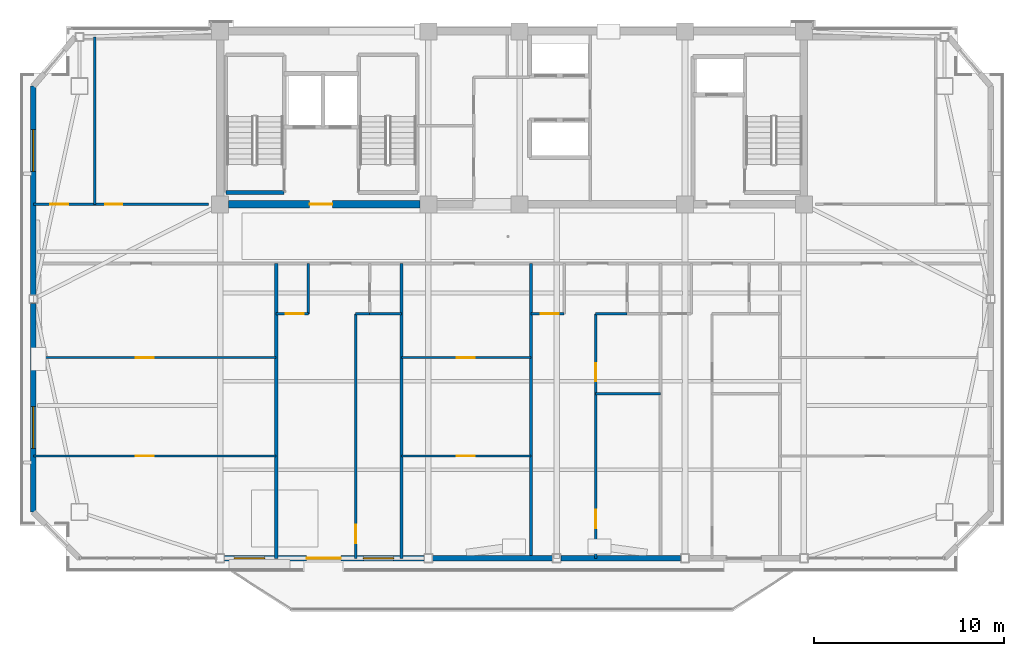
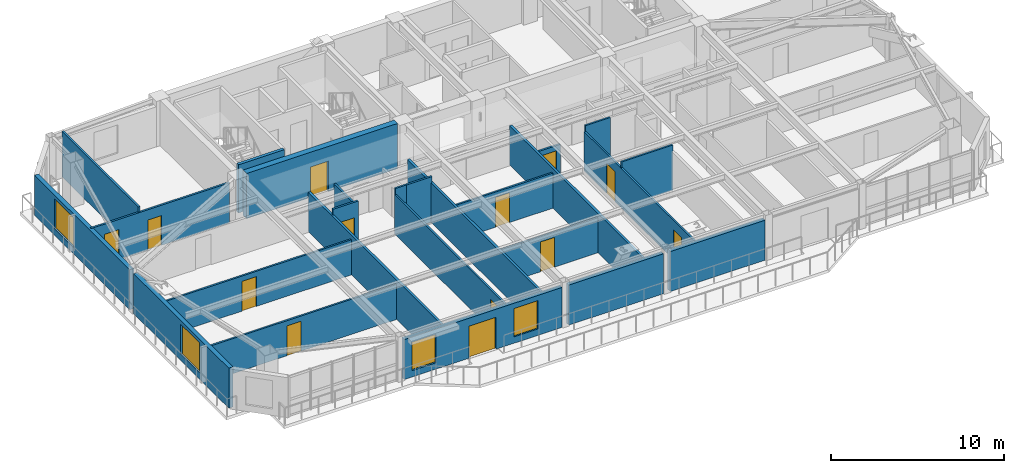
# One storey, part 7 of 15: 25 walls, 13 doors, 4 windows, 17 openings.
"""IFC4 building model written with IfcOpenShell, lengths in metres."""

from ifc_helpers import new_model, si_unit, direction, frame, frame_2d, origin, place, context, subcontext, project, spatial, rectangle, extrude, source, transform, mapped, material, layer, layer_set, type_object, element, fill, save


model = new_model("IFC4")

# Units and contexts
model_context = context("Model", 3, precision=1e-05, world=origin(), true_north=direction((0.0, 1.0)))
body_context = subcontext(model_context, "Body", "Model", "MODEL_VIEW")
ifc_project = project(units=[si_unit("LENGTHUNIT", "METRE"), si_unit("AREAUNIT", "SQUARE_METRE"), si_unit("VOLUMEUNIT", "CUBIC_METRE"), si_unit("PLANEANGLEUNIT", "RADIAN"), si_unit("MASSUNIT", "GRAM", prefix="KILO")], contexts=[model_context])

# Site, building, storey
site_placement = place(None, origin())
site = spatial("IfcSite", under=ifc_project, at=site_placement, CompositionType="ELEMENT")
building_placement = place(site_placement, origin())
building = spatial("IfcBuilding", under=site, at=building_placement, Name="Giltprow Tower", CompositionType="ELEMENT")
storey_placement = place(building_placement, frame((0.0, 0.0, 297.199951171875)))
storey = spatial("IfcBuildingStorey", under=building, at=storey_placement, Name="L76", CompositionType="ELEMENT", Elevation=297.199951171875)

# Wall, openings, windows, door
ifc_material_1 = material(Name="Precast concrete C40", Category="concrete")
ifc_layer_1 = layer(ifc_material_1, 0.280029296875, Name="Precast concrete C40")
ifc_layer_set_1 = layer_set([ifc_layer_1], Name="Precast concrete C40")
wall_type_1 = type_object("IfcWallType", Name="EW-TOW-BRONZE-280", PredefinedType="SOLIDWALL", material=ifc_layer_set_1)
wall_1_placement = place(storey_placement, frame((20.074951171875, 18.841064453125, 0.0), z_axis=(0.0, 0.0, 1.0), x_axis=(1.0, 0.0, 0.0)))
wall_1 = element("IfcWall", 1, at=wall_1_placement, inside=storey, type_object=wall_type_1, Name="L76 South Expressed Frame Wall 2", PredefinedType="SOLIDWALL", context=body_context, shape_type="SweptSolid", body=[
    extrude(rectangle(XDim=10.5, YDim=0.280029296875, at=frame_2d((5.25, 0.0))), origin(), (0.0, 0.0, 1.0), 2.81494140625),
])
opening_1_placement = place(wall_1_placement, frame((4.324951171875, 0.0, 0.0)))
opening_1 = element("IfcOpeningElement", 2, at=opening_1_placement, cuts=wall_1, Name="Opening ED25", PredefinedType="OPENING", context=body_context, shape_type="SweptSolid", body=[
    extrude(rectangle(XDim=1.800048828125, YDim=2.25, at=frame_2d((0.89990234375, 1.125))), frame((0.0, 0.14990234375, 0.0), z_axis=(0.0, -1.0, 0.0), x_axis=(1.0, 0.0, 0.0)), (0.0, 0.0, 1.0), 0.300048828125),
])
opening_2_placement = place(wall_1_placement, frame((0.51708984375, 0.0, 0.449951171875)))
opening_2 = element("IfcOpeningElement", 3, at=opening_2_placement, cuts=wall_1, Name="Opening WN17", PredefinedType="OPENING", context=body_context, shape_type="SweptSolid", body=[
    extrude(rectangle(XDim=1.60009765625, YDim=2.0, at=frame_2d((0.800048828125, 1.0))), frame((0.0, 0.14990234375, 0.0), z_axis=(0.0, -1.0, 0.0), x_axis=(1.0, 0.0, 0.0)), (0.0, 0.0, 1.0), 0.300048828125),
])
opening_3_placement = place(wall_1_placement, frame((7.304931640625, 0.0, 0.449951171875)))
opening_3 = element("IfcOpeningElement", 4, at=opening_3_placement, cuts=wall_1, Name="Opening WN17", PredefinedType="OPENING", context=body_context, shape_type="SweptSolid", body=[
    extrude(rectangle(XDim=1.60009765625, YDim=2.0, at=frame_2d((0.800048828125, 1.0))), frame((0.0, 0.14990234375, 0.0), z_axis=(0.0, -1.0, 0.0), x_axis=(1.0, 0.0, 0.0)), (0.0, 0.0, 1.0), 0.300048828125),
])
ifc_material_2 = material(Name="Insulated glass", Category="glass")
window_type_1 = type_object("IfcWindowType", Name="WN-COR-1600x2000", PartitioningType="SINGLE_PANEL", PredefinedType="WINDOW", material=ifc_material_2)
shared_shape_1 = source(origin(), body_context, "Body", "SweptSolid", [
    extrude(rectangle(XDim=1.60009765625, YDim=2.0, at=frame_2d((0.800048828125, 1.0))), frame((0.0, 0.030029296875, 0.0), z_axis=(0.0, -1.0, 0.0), x_axis=(1.0, 0.0, 0.0)), (0.0, 0.0, 1.0), 0.06005859375),
])
window_1_placement = place(opening_2_placement, origin())
window_1 = element("IfcWindow", 5, at=window_1_placement, inside=storey, type_object=window_type_1, Name="L76 South Window 2A", OverallHeight=2.0, OverallWidth=1.60009765625, PartitioningType="SINGLE_PANEL", PredefinedType="WINDOW", context=body_context, shape_type="MappedRepresentation", body=[
    mapped(shared_shape_1, transform((0.0, 0.0, 0.0), x_axis=(1.0, 0.0, 0.0), y_axis=(0.0, 1.0, 0.0), z_axis=(0.0, 0.0, 1.0), scale=1.0)),
])
fill(opening_2, window_1)
window_2_placement = place(opening_3_placement, origin())
window_2 = element("IfcWindow", 6, at=window_2_placement, inside=storey, type_object=window_type_1, Name="L76 South Window 2B", OverallHeight=2.0, OverallWidth=1.60009765625, PartitioningType="SINGLE_PANEL", PredefinedType="WINDOW", context=body_context, shape_type="MappedRepresentation", body=[
    mapped(shared_shape_1, transform((0.0, 0.0, 0.0), x_axis=(1.0, 0.0, 0.0), y_axis=(0.0, 1.0, 0.0), z_axis=(0.0, 0.0, 1.0), scale=1.0)),
])
fill(opening_3, window_2)
ifc_material_3 = material(Name="Anodized bronze and glass", Category="glass")
door_type_1 = type_object("IfcDoorType", Name="DR-BALC-SLIDE-1800", OperationType="SLIDING_TO_LEFT", PredefinedType="DOOR", material=ifc_material_3)
shared_shape_2 = source(origin(), body_context, "Body", "SweptSolid", [
    extrude(rectangle(XDim=1.800048828125, YDim=2.25, at=frame_2d((0.89990234375, 1.125))), frame((0.0, 0.02490234375, 0.0), z_axis=(0.0, -1.0, 0.0), x_axis=(1.0, 0.0, 0.0)), (0.0, 0.0, 1.0), 0.050048828125),
])
door_1_placement = place(opening_1_placement, origin())
door_1 = element("IfcDoor", 7, at=door_1_placement, inside=storey, type_object=door_type_1, Name="L76 Waterfront Balcony Sliding Door 1", OperationType="SLIDING_TO_LEFT", OverallHeight=2.25, OverallWidth=1.800048828125, PredefinedType="DOOR", context=body_context, shape_type="MappedRepresentation", body=[
    mapped(shared_shape_2, transform((0.0, 0.0, 0.0), x_axis=(1.0, 0.0, 0.0), y_axis=(0.0, 1.0, 0.0), z_axis=(0.0, 0.0, 1.0), scale=1.0)),
])
fill(opening_1, door_1)

# Walls
for number, where, z_axis, x_axis, name in (
    (8, (31.02490234375, 18.841064453125, 0.0), (0.0, 0.0, 1.0), (1.0, 0.0, 0.0), "L76 South Expressed Frame Wall 3"),
    (9, (37.77490234375, 18.841064453125, 0.0), (0.0, 0.0, 1.0), (1.0, 0.0, 0.0), "L76 South Expressed Frame Wall 4"),
):
    element("IfcWall", number, at=place(storey_placement, frame(where, z_axis=z_axis, x_axis=x_axis)), inside=storey, type_object=wall_type_1, Name=name, PredefinedType="SOLIDWALL", context=body_context, shape_type="SweptSolid", body=[
        extrude(rectangle(XDim=6.300048828125, YDim=0.280029296875, at=frame_2d((3.14990234375, 0.0))), origin(), (0.0, 0.0, 1.0), 2.81494140625),
    ])

# Wall, opening, window
wall_2_placement = place(storey_placement, frame((10.02392578125, 21.27197265625, 0.0), z_axis=(0.0, 0.0, 1.0), x_axis=(0.0, 1.0, 0.0)))
wall_2 = element("IfcWall", 10, at=wall_2_placement, inside=storey, type_object=wall_type_1, Name="L76 W Wing Masonry Wall 1", PredefinedType="SOLIDWALL", context=body_context, shape_type="SweptSolid", body=[
    extrude(rectangle(XDim=10.97412109375, YDim=0.280029296875, at=frame_2d((5.487060546875, 0.0))), origin(), (0.0, 0.0, 1.0), 2.81494140625),
])
opening_4_placement = place(wall_2_placement, frame((3.346923828125, 0.0, 0.449951171875)))
opening_4 = element("IfcOpeningElement", 11, at=opening_4_placement, cuts=wall_2, Name="Opening WN27", PredefinedType="OPENING", context=body_context, shape_type="SweptSolid", body=[
    extrude(rectangle(XDim=2.199951171875, YDim=2.10009765625, at=frame_2d((1.10009765625, 1.050048828125))), frame((0.0, 0.14990234375, 0.0), z_axis=(0.0, -1.0, 0.0), x_axis=(1.0, 0.0, 0.0)), (0.0, 0.0, 1.0), 0.300048828125),
])
window_type_2 = type_object("IfcWindowType", Name="WN-RES-2200x2100", PartitioningType="TRIPLE_PANEL_VERTICAL", PredefinedType="WINDOW", material=ifc_material_2)
shared_shape_3 = source(origin(), body_context, "Body", "SweptSolid", [
    extrude(rectangle(XDim=2.199951171875, YDim=2.10009765625, at=frame_2d((1.10009765625, 1.050048828125))), frame((0.0, 0.030029296875, 0.0), z_axis=(0.0, -1.0, 0.0), x_axis=(1.0, 0.0, 0.0)), (0.0, 0.0, 1.0), 0.06005859375),
])
window_3_placement = place(opening_4_placement, origin())
window_3 = element("IfcWindow", 12, at=window_3_placement, inside=storey, type_object=window_type_2, Name="L76 W Wing Window 1-1", OverallHeight=2.10009765625, OverallWidth=2.199951171875, PartitioningType="SINGLE_PANEL", PredefinedType="WINDOW", context=body_context, shape_type="MappedRepresentation", body=[
    mapped(shared_shape_3, transform((0.0, 0.0, 0.0), x_axis=(1.0, 0.0, 0.0), y_axis=(0.0, 1.0, 0.0), z_axis=(0.0, 0.0, 1.0), scale=1.0)),
])
fill(opening_4, window_3)

wall_3_placement = place(storey_placement, frame((10.02392578125, 32.696044921875, 0.0), z_axis=(0.0, 0.0, 1.0), x_axis=(0.0, 1.0, 0.0)))
wall_3 = element("IfcWall", 13, at=wall_3_placement, inside=storey, type_object=wall_type_1, Name="L76 W Wing Masonry Wall 2", PredefinedType="SOLIDWALL", context=body_context, shape_type="SweptSolid", body=[
    extrude(rectangle(XDim=10.972900390625, YDim=0.280029296875, at=frame_2d((5.486328125, 0.0))), origin(), (0.0, 0.0, 1.0), 2.81494140625),
])
opening_5_placement = place(wall_3_placement, frame((6.488037109375, 0.0, 0.449951171875)))
opening_5 = element("IfcOpeningElement", 14, at=opening_5_placement, cuts=wall_3, Name="Opening WN27", PredefinedType="OPENING", context=body_context, shape_type="SweptSolid", body=[
    extrude(rectangle(XDim=2.199951171875, YDim=2.10009765625, at=frame_2d((1.10009765625, 1.050048828125))), frame((0.0, 0.14990234375, 0.0), z_axis=(0.0, -1.0, 0.0), x_axis=(1.0, 0.0, 0.0)), (0.0, 0.0, 1.0), 0.300048828125),
])
window_4_placement = place(opening_5_placement, origin())
window_4 = element("IfcWindow", 15, at=window_4_placement, inside=storey, type_object=window_type_2, Name="L76 W Wing Window 2-1", OverallHeight=2.10009765625, OverallWidth=2.199951171875, PartitioningType="SINGLE_PANEL", PredefinedType="WINDOW", context=body_context, shape_type="MappedRepresentation", body=[
    mapped(shared_shape_3, transform((0.0, 0.0, 0.0), x_axis=(1.0, 0.0, 0.0), y_axis=(0.0, 1.0, 0.0), z_axis=(0.0, 0.0, 1.0), scale=1.0)),
])
fill(opening_5, window_4)

# Walls
ifc_material_4 = material(Name="Gypsum stud partition", Category="gypsum")
ifc_layer_2 = layer(ifc_material_4, 0.159912109375, Name="Gypsum stud partition")
ifc_layer_set_2 = layer_set([ifc_layer_2], Name="Gypsum stud partition")
wall_type_2 = type_object("IfcWallType", Name="IW-DEMISE-160", PredefinedType="PARTITIONING", material=ifc_layer_set_2)
for number, where, z_axis, x_axis, name in (
    (16, (22.800048828125, 18.841064453125, 0.0), (0.0, 0.0, 1.0), (0.0, 1.0, 0.0), "L76 Apartment Party Wall 1"),
    (17, (29.39990234375, 18.841064453125, 0.0), (0.0, 0.0, 1.0), (0.0, 1.0, 0.0), "L76 Apartment Party Wall 2"),
    (18, (36.199951171875, 18.841064453125, 0.0), (0.0, 0.0, 1.0), (0.0, 1.0, 0.0), "L76 Apartment Party Wall 3"),
):
    element("IfcWall", number, at=place(storey_placement, frame(where, z_axis=z_axis, x_axis=x_axis)), inside=storey, type_object=wall_type_2, Name=name, PredefinedType="PARTITIONING", context=body_context, shape_type="SweptSolid", body=[
        extrude(rectangle(XDim=15.509033203125, YDim=0.159912109375, at=frame_2d((7.75439453125, 0.0))), origin(), (0.0, 0.0, 1.0), 2.77001953125),
    ])

# Wall, opening, door
ifc_layer_3 = layer(ifc_material_4, 0.1201171875, Name="Gypsum stud partition")
ifc_layer_set_3 = layer_set([ifc_layer_3], Name="Gypsum stud partition")
wall_type_3 = type_object("IfcWallType", Name="IW-ROOM-120", PredefinedType="PARTITIONING", material=ifc_layer_set_3)
wall_4_placement = place(storey_placement, frame((10.02392578125, 24.218994140625, 0.0), z_axis=(0.0, 0.0, 1.0), x_axis=(1.0, 0.0, 0.0)))
wall_4 = element("IfcWall", 19, at=wall_4_placement, inside=storey, type_object=wall_type_3, Name="L76 Special Split 1", PredefinedType="PARTITIONING", context=body_context, shape_type="SweptSolid", body=[
    extrude(rectangle(XDim=12.776123046875, YDim=0.1201171875, at=frame_2d((6.38818359375, 0.0))), origin(), (0.0, 0.0, 1.0), 2.469970703125),
])
opening_6_placement = place(wall_4_placement, frame((5.39599609375, 0.0, 0.0)))
opening_6 = element("IfcOpeningElement", 20, at=opening_6_placement, cuts=wall_4, Name="Opening ID11", PredefinedType="OPENING", context=body_context, shape_type="SweptSolid", body=[
    extrude(rectangle(XDim=0.949951171875, YDim=2.10009765625, at=frame_2d((0.47509765625, 1.050048828125))), frame((0.0, 0.070068359375, 0.0), z_axis=(0.0, -1.0, 0.0), x_axis=(1.0, 0.0, 0.0)), (0.0, 0.0, 1.0), 0.14013671875),
])
ifc_material_5 = material(Name="Engineered timber", Category="wood")
door_type_2 = type_object("IfcDoorType", Name="DR-ROOM-950", OperationType="SINGLE_SWING_RIGHT", PredefinedType="DOOR", material=ifc_material_5)
shared_shape_4 = source(origin(), body_context, "Body", "SweptSolid", [
    extrude(rectangle(XDim=0.949951171875, YDim=2.10009765625, at=frame_2d((0.47509765625, 1.050048828125))), frame((0.0, 0.02490234375, 0.0), z_axis=(0.0, -1.0, 0.0), x_axis=(1.0, 0.0, 0.0)), (0.0, 0.0, 1.0), 0.050048828125),
])
door_2_placement = place(opening_6_placement, origin())
door_2 = element("IfcDoor", 21, at=door_2_placement, inside=storey, type_object=door_type_2, Name="L76 Altitude Pilates Gym 1 South Door", OperationType="SINGLE_SWING_RIGHT", OverallHeight=2.10009765625, OverallWidth=0.949951171875, PredefinedType="DOOR", context=body_context, shape_type="MappedRepresentation", body=[
    mapped(shared_shape_4, transform((0.0, 0.0, 0.0), x_axis=(1.0, 0.0, 0.0), y_axis=(0.0, 1.0, 0.0), z_axis=(0.0, 0.0, 1.0), scale=1.0)),
])
fill(opening_6, door_2)

wall_5_placement = place(storey_placement, frame((10.02392578125, 29.39697265625, 0.0), z_axis=(0.0, 0.0, 1.0), x_axis=(1.0, 0.0, 0.0)))
wall_5 = element("IfcWall", 22, at=wall_5_placement, inside=storey, type_object=wall_type_3, Name="L76 Special Split 2", PredefinedType="PARTITIONING", context=body_context, shape_type="SweptSolid", body=[
    extrude(rectangle(XDim=12.776123046875, YDim=0.1201171875, at=frame_2d((6.38818359375, 0.0))), origin(), (0.0, 0.0, 1.0), 2.469970703125),
])
opening_7_placement = place(wall_5_placement, frame((5.39599609375, 0.0, 0.0)))
opening_7 = element("IfcOpeningElement", 23, at=opening_7_placement, cuts=wall_5, Name="Opening ID11", PredefinedType="OPENING", context=body_context, shape_type="SweptSolid", body=[
    extrude(rectangle(XDim=0.949951171875, YDim=2.10009765625, at=frame_2d((0.47509765625, 1.050048828125))), frame((0.0, 0.070068359375, 0.0), z_axis=(0.0, -1.0, 0.0), x_axis=(1.0, 0.0, 0.0)), (0.0, 0.0, 1.0), 0.14013671875),
])
door_3_placement = place(opening_7_placement, origin())
door_3 = element("IfcDoor", 24, at=door_3_placement, inside=storey, type_object=door_type_2, Name="L76 Altitude Pilates Gym 1 Mid Door", OperationType="SINGLE_SWING_LEFT", OverallHeight=2.10009765625, OverallWidth=0.949951171875, PredefinedType="DOOR", context=body_context, shape_type="MappedRepresentation", body=[
    mapped(shared_shape_4, transform((0.0, 0.0, 0.0), x_axis=(1.0, 0.0, 0.0), y_axis=(0.0, 1.0, 0.0), z_axis=(0.0, 0.0, 1.0), scale=1.0)),
])
fill(opening_7, door_3)

# Wall
wall_6_placement = place(storey_placement, frame((26.97998046875, 31.699951171875, 0.0), z_axis=(0.0, 0.0, 1.0), x_axis=(1.0, 0.0, 0.0)))
element("IfcWall", 25, at=wall_6_placement, inside=storey, type_object=wall_type_3, Name="L76 Unit 1 Bedroom North Wall", PredefinedType="PARTITIONING", context=body_context, shape_type="SweptSolid", body=[
    extrude(rectangle(XDim=0.72998046875, YDim=0.1201171875, at=frame_2d((0.364990234375, 0.0))), origin(), (0.0, 0.0, 1.0), 3.18505859375),
])

# Wall, opening, door
wall_7_placement = place(storey_placement, frame((26.97998046875, 18.841064453125, 0.0), z_axis=(0.0, 0.0, 1.0), x_axis=(0.0, 1.0, 0.0)))
wall_7 = element("IfcWall", 26, at=wall_7_placement, inside=storey, type_object=wall_type_3, Name="L76 Unit 1 Bedroom Wall", PredefinedType="PARTITIONING", context=body_context, shape_type="SweptSolid", body=[
    extrude(rectangle(XDim=12.85888671875, YDim=0.1201171875, at=frame_2d((6.429443359375, 0.0))), origin(), (0.0, 0.0, 1.0), 2.77001953125),
])
opening_8_placement = place(wall_7_placement, frame((0.800048828125, 0.0, 0.0)))
opening_8 = element("IfcOpeningElement", 27, at=opening_8_placement, cuts=wall_7, Name="Opening ID11", PredefinedType="OPENING", context=body_context, shape_type="SweptSolid", body=[
    extrude(rectangle(XDim=0.949951171875, YDim=2.10009765625, at=frame_2d((0.47509765625, 1.050048828125))), frame((0.0, 0.070068359375, 0.0), z_axis=(0.0, -1.0, 0.0), x_axis=(1.0, 0.0, 0.0)), (0.0, 0.0, 1.0), 0.14013671875),
])
door_4_placement = place(opening_8_placement, origin())
door_4 = element("IfcDoor", 28, at=door_4_placement, inside=storey, type_object=door_type_2, Name="L76 Unit 1 Primary Bedroom Door", OperationType="SINGLE_SWING_RIGHT", OverallHeight=2.10009765625, OverallWidth=0.949951171875, PredefinedType="DOOR", context=body_context, shape_type="MappedRepresentation", body=[
    mapped(shared_shape_4, transform((0.0, 0.0, 0.0), x_axis=(1.0, 0.0, 0.0), y_axis=(0.0, 1.0, 0.0), z_axis=(0.0, 0.0, 1.0), scale=1.0)),
])
fill(opening_8, door_4)

wall_8_placement = place(storey_placement, frame((29.39990234375, 24.218994140625, 0.0), z_axis=(0.0, 0.0, 1.0), x_axis=(1.0, 0.0, 0.0)))
wall_8 = element("IfcWall", 29, at=wall_8_placement, inside=storey, type_object=wall_type_3, Name="L76 Special Split 1", PredefinedType="PARTITIONING", context=body_context, shape_type="SweptSolid", body=[
    extrude(rectangle(XDim=6.800048828125, YDim=0.1201171875, at=frame_2d((3.39990234375, 0.0))), origin(), (0.0, 0.0, 1.0), 2.469970703125),
])
opening_9_placement = place(wall_8_placement, frame((2.885986328125, 0.0, 0.0)))
opening_9 = element("IfcOpeningElement", 30, at=opening_9_placement, cuts=wall_8, Name="Opening ID11", PredefinedType="OPENING", context=body_context, shape_type="SweptSolid", body=[
    extrude(rectangle(XDim=0.949951171875, YDim=2.10009765625, at=frame_2d((0.47509765625, 1.050048828125))), frame((0.0, 0.070068359375, 0.0), z_axis=(0.0, -1.0, 0.0), x_axis=(1.0, 0.0, 0.0)), (0.0, 0.0, 1.0), 0.14013671875),
])
door_5_placement = place(opening_9_placement, origin())
door_5 = element("IfcDoor", 31, at=door_5_placement, inside=storey, type_object=door_type_2, Name="L76 Meditation Gym 2 South Door", OperationType="SINGLE_SWING_LEFT", OverallHeight=2.10009765625, OverallWidth=0.949951171875, PredefinedType="DOOR", context=body_context, shape_type="MappedRepresentation", body=[
    mapped(shared_shape_4, transform((0.0, 0.0, 0.0), x_axis=(1.0, 0.0, 0.0), y_axis=(0.0, 1.0, 0.0), z_axis=(0.0, 0.0, 1.0), scale=1.0)),
])
fill(opening_9, door_5)

wall_9_placement = place(storey_placement, frame((29.39990234375, 29.39697265625, 0.0), z_axis=(0.0, 0.0, 1.0), x_axis=(1.0, 0.0, 0.0)))
wall_9 = element("IfcWall", 32, at=wall_9_placement, inside=storey, type_object=wall_type_3, Name="L76 Special Split 2", PredefinedType="PARTITIONING", context=body_context, shape_type="SweptSolid", body=[
    extrude(rectangle(XDim=6.800048828125, YDim=0.1201171875, at=frame_2d((3.39990234375, 0.0))), origin(), (0.0, 0.0, 1.0), 2.469970703125),
])
opening_10_placement = place(wall_9_placement, frame((2.885986328125, 0.0, 0.0)))
opening_10 = element("IfcOpeningElement", 33, at=opening_10_placement, cuts=wall_9, Name="Opening ID11", PredefinedType="OPENING", context=body_context, shape_type="SweptSolid", body=[
    extrude(rectangle(XDim=0.949951171875, YDim=2.10009765625, at=frame_2d((0.47509765625, 1.050048828125))), frame((0.0, 0.070068359375, 0.0), z_axis=(0.0, -1.0, 0.0), x_axis=(1.0, 0.0, 0.0)), (0.0, 0.0, 1.0), 0.14013671875),
])
door_6_placement = place(opening_10_placement, origin())
door_6 = element("IfcDoor", 34, at=door_6_placement, inside=storey, type_object=door_type_2, Name="L76 Meditation Gym 2 Mid Door", OperationType="SINGLE_SWING_RIGHT", OverallHeight=2.10009765625, OverallWidth=0.949951171875, PredefinedType="DOOR", context=body_context, shape_type="MappedRepresentation", body=[
    mapped(shared_shape_4, transform((0.0, 0.0, 0.0), x_axis=(1.0, 0.0, 0.0), y_axis=(0.0, 1.0, 0.0), z_axis=(0.0, 0.0, 1.0), scale=1.0)),
])
fill(opening_10, door_6)

# Wall
wall_10_placement = place(storey_placement, frame((39.60009765625, 31.699951171875, 0.0), z_axis=(0.0, 0.0, 1.0), x_axis=(1.0, 0.0, 0.0)))
element("IfcWall", 35, at=wall_10_placement, inside=storey, type_object=wall_type_3, Name="L76 Unit 2 Bedroom North Wall", PredefinedType="PARTITIONING", context=body_context, shape_type="SweptSolid", body=[
    extrude(rectangle(XDim=1.659912109375, YDim=0.1201171875, at=frame_2d((0.830078125, 0.0))), origin(), (0.0, 0.0, 1.0), 3.18505859375),
])

# Wall, openings, doors
wall_11_placement = place(storey_placement, frame((39.60009765625, 18.841064453125, 0.0), z_axis=(0.0, 0.0, 1.0), x_axis=(0.0, 1.0, 0.0)))
wall_11 = element("IfcWall", 36, at=wall_11_placement, inside=storey, type_object=wall_type_3, Name="L76 Unit 2 Bedroom Wall", PredefinedType="PARTITIONING", context=body_context, shape_type="SweptSolid", body=[
    extrude(rectangle(XDim=12.85888671875, YDim=0.1201171875, at=frame_2d((6.429443359375, 0.0))), origin(), (0.0, 0.0, 1.0), 2.77001953125),
])
opening_11_placement = place(wall_11_placement, frame((1.590087890625, 0.0, 0.0)))
opening_11 = element("IfcOpeningElement", 37, at=opening_11_placement, cuts=wall_11, Name="Opening ID11", PredefinedType="OPENING", context=body_context, shape_type="SweptSolid", body=[
    extrude(rectangle(XDim=0.949951171875, YDim=2.10009765625, at=frame_2d((0.47509765625, 1.050048828125))), frame((0.0, 0.070068359375, 0.0), z_axis=(0.0, -1.0, 0.0), x_axis=(1.0, 0.0, 0.0)), (0.0, 0.0, 1.0), 0.14013671875),
])
opening_12_placement = place(wall_11_placement, frame((9.299072265625, 0.0, 0.0)))
opening_12 = element("IfcOpeningElement", 38, at=opening_12_placement, cuts=wall_11, Name="Opening ID11", PredefinedType="OPENING", context=body_context, shape_type="SweptSolid", body=[
    extrude(rectangle(XDim=0.949951171875, YDim=2.10009765625, at=frame_2d((0.47509765625, 1.050048828125))), frame((0.0, 0.070068359375, 0.0), z_axis=(0.0, -1.0, 0.0), x_axis=(1.0, 0.0, 0.0)), (0.0, 0.0, 1.0), 0.14013671875),
])
door_7_placement = place(opening_11_placement, origin())
door_7 = element("IfcDoor", 39, at=door_7_placement, inside=storey, type_object=door_type_2, Name="L76 Unit 2 Primary Bedroom Door", OperationType="SINGLE_SWING_LEFT", OverallHeight=2.10009765625, OverallWidth=0.949951171875, PredefinedType="DOOR", context=body_context, shape_type="MappedRepresentation", body=[
    mapped(shared_shape_4, transform((0.0, 0.0, 0.0), x_axis=(1.0, 0.0, 0.0), y_axis=(0.0, 1.0, 0.0), z_axis=(0.0, 0.0, 1.0), scale=1.0)),
])
fill(opening_11, door_7)
door_8_placement = place(opening_12_placement, origin())
door_8 = element("IfcDoor", 40, at=door_8_placement, inside=storey, type_object=door_type_2, Name="L76 Unit 2 Second Bedroom Door", OperationType="SINGLE_SWING_RIGHT", OverallHeight=2.10009765625, OverallWidth=0.949951171875, PredefinedType="DOOR", context=body_context, shape_type="MappedRepresentation", body=[
    mapped(shared_shape_4, transform((0.0, 0.0, 0.0), x_axis=(1.0, 0.0, 0.0), y_axis=(0.0, 1.0, 0.0), z_axis=(0.0, 0.0, 1.0), scale=1.0)),
])
fill(opening_12, door_8)

# Walls
wall_12_placement = place(storey_placement, frame((39.60009765625, 27.5, 0.0), z_axis=(0.0, 0.0, 1.0), x_axis=(1.0, 0.0, 0.0)))
element("IfcWall", 41, at=wall_12_placement, inside=storey, type_object=wall_type_3, Name="L76 Unit 2 Second Bedroom Wall", PredefinedType="PARTITIONING", context=body_context, shape_type="SweptSolid", body=[
    extrude(rectangle(XDim=3.39990234375, YDim=0.1201171875, at=frame_2d((1.699951171875, 0.0))), origin(), (0.0, 0.0, 1.0), 3.18505859375),
])
ifc_material_6 = material(Name="Concrete C40", Category="concrete")
ifc_layer_4 = layer(ifc_material_6, 0.199951171875, Name="Concrete C40")
ifc_layer_set_4 = layer_set([ifc_layer_4], Name="Concrete C40")
wall_type_4 = type_object("IfcWallType", Name="IW-STAIR-200", PredefinedType="SOLIDWALL", material=ifc_layer_set_4)
wall_13_placement = place(storey_placement, frame((20.169921875, 38.070068359375, 0.0), z_axis=(0.0, 0.0, 1.0), x_axis=(1.0, 0.0, 0.0)))
element("IfcWall", 42, at=wall_13_placement, inside=storey, type_object=wall_type_4, Name="L76 Stair ST-1 South Bearing Wall", PredefinedType="SOLIDWALL", context=body_context, shape_type="SweptSolid", body=[
    extrude(rectangle(XDim=3.050048828125, YDim=0.199951171875, at=frame_2d((1.52490234375, 0.0))), origin(), (0.0, 0.0, 1.0), 3.400146484375),
])

# Wall, opening, door
ifc_material_7 = material(Name="Concrete C30", Category="concrete")
ifc_layer_5 = layer(ifc_material_7, 0.1298828125, Name="Concrete C30")
ifc_layer_set_5 = layer_set([ifc_layer_5], Name="Concrete C30")
wall_type_5 = type_object("IfcWallType", Name="IW-WET-130", PredefinedType="PARTITIONING", material=ifc_layer_set_5)
wall_14_placement = place(storey_placement, frame((22.800048828125, 31.699951171875, 0.0), z_axis=(0.0, 0.0, 1.0), x_axis=(1.0, 0.0, 0.0)))
wall_14 = element("IfcWall", 43, at=wall_14_placement, inside=storey, type_object=wall_type_5, Name="L76 Unit 1 Kitchen South Wall", PredefinedType="PARTITIONING", context=body_context, shape_type="SweptSolid", body=[
    extrude(rectangle(XDim=1.68994140625, YDim=0.1298828125, at=frame_2d((0.844970703125, 0.0))), origin(), (0.0, 0.0, 1.0), 3.18505859375),
])
opening_13_placement = place(wall_14_placement, frame((0.489990234375, 0.0, 0.0)))
opening_13 = element("IfcOpeningElement", 44, at=opening_13_placement, cuts=wall_14, Name="Opening ID11", PredefinedType="OPENING", context=body_context, shape_type="SweptSolid", body=[
    extrude(rectangle(XDim=0.949951171875, YDim=2.10009765625, at=frame_2d((0.47509765625, 1.050048828125))), frame((0.0, 0.074951171875, 0.0), z_axis=(0.0, -1.0, 0.0), x_axis=(1.0, 0.0, 0.0)), (0.0, 0.0, 1.0), 0.14990234375),
])
door_9_placement = place(opening_13_placement, origin())
door_9 = element("IfcDoor", 45, at=door_9_placement, inside=storey, type_object=door_type_2, Name="L76 Unit 1 Kitchen Door", OperationType="SINGLE_SWING_RIGHT", OverallHeight=2.10009765625, OverallWidth=0.949951171875, PredefinedType="DOOR", context=body_context, shape_type="MappedRepresentation", body=[
    mapped(shared_shape_4, transform((0.0, 0.0, 0.0), x_axis=(1.0, 0.0, 0.0), y_axis=(0.0, 1.0, 0.0), z_axis=(0.0, 0.0, 1.0), scale=1.0)),
])
fill(opening_13, door_9)

# Walls
wall_15_placement = place(storey_placement, frame((24.489990234375, 31.699951171875, 0.0), z_axis=(0.0, 0.0, 1.0), x_axis=(0.0, 1.0, 0.0)))
element("IfcWall", 46, at=wall_15_placement, inside=storey, type_object=wall_type_5, Name="L76 Unit 1 Kitchen East Wall", PredefinedType="PARTITIONING", context=body_context, shape_type="SweptSolid", body=[
    extrude(rectangle(XDim=2.650146484375, YDim=0.1298828125, at=frame_2d((1.3251953125, 0.0))), origin(), (0.0, 0.0, 1.0), 2.77001953125),
])
wall_16_placement = place(storey_placement, frame((27.7099609375, 31.699951171875, 0.0), z_axis=(0.0, 0.0, 1.0), x_axis=(1.0, 0.0, 0.0)))
element("IfcWall", 47, at=wall_16_placement, inside=storey, type_object=wall_type_5, Name="L76 Unit 1 Bathroom South Wall", PredefinedType="PARTITIONING", context=body_context, shape_type="SweptSolid", body=[
    extrude(rectangle(XDim=1.68994140625, YDim=0.1298828125, at=frame_2d((0.844970703125, 0.0))), origin(), (0.0, 0.0, 1.0), 3.18505859375),
])

# Wall, opening, door
wall_17_placement = place(storey_placement, frame((36.199951171875, 31.699951171875, 0.0), z_axis=(0.0, 0.0, 1.0), x_axis=(1.0, 0.0, 0.0)))
wall_17 = element("IfcWall", 48, at=wall_17_placement, inside=storey, type_object=wall_type_5, Name="L76 Unit 2 Kitchen South Wall", PredefinedType="PARTITIONING", context=body_context, shape_type="SweptSolid", body=[
    extrude(rectangle(XDim=1.739990234375, YDim=0.1298828125, at=frame_2d((0.8701171875, 0.0))), origin(), (0.0, 0.0, 1.0), 2.469970703125),
])
opening_14_placement = place(wall_17_placement, frame((0.514892578125, 0.0, 0.0)))
opening_14 = element("IfcOpeningElement", 49, at=opening_14_placement, cuts=wall_17, Name="Opening ID11", PredefinedType="OPENING", context=body_context, shape_type="SweptSolid", body=[
    extrude(rectangle(XDim=0.949951171875, YDim=2.10009765625, at=frame_2d((0.47509765625, 1.050048828125))), frame((0.0, 0.074951171875, 0.0), z_axis=(0.0, -1.0, 0.0), x_axis=(1.0, 0.0, 0.0)), (0.0, 0.0, 1.0), 0.14990234375),
])
door_10_placement = place(opening_14_placement, origin())
door_10 = element("IfcDoor", 50, at=door_10_placement, inside=storey, type_object=door_type_2, Name="L76 Unit 2 Kitchen Door", OperationType="SINGLE_SWING_LEFT", OverallHeight=2.10009765625, OverallWidth=0.949951171875, PredefinedType="DOOR", context=body_context, shape_type="MappedRepresentation", body=[
    mapped(shared_shape_4, transform((0.0, 0.0, 0.0), x_axis=(1.0, 0.0, 0.0), y_axis=(0.0, 1.0, 0.0), z_axis=(0.0, 0.0, 1.0), scale=1.0)),
])
fill(opening_14, door_10)

# Wall, openings, doors
wall_18_placement = place(storey_placement, frame((10.02392578125, 37.449951171875, 0.0), z_axis=(0.0, 0.0, 1.0), x_axis=(1.0, 0.0, 0.0)))
wall_18 = element("IfcWall", 51, at=wall_18_placement, inside=storey, type_object=wall_type_5, Name="L76 NW Wing South Wall", PredefinedType="PARTITIONING", context=body_context, shape_type="SweptSolid", body=[
    extrude(rectangle(XDim=9.22607421875, YDim=0.1298828125, at=frame_2d((4.613037109375, 0.0))), origin(), (0.0, 0.0, 1.0), 2.820068359375),
])
opening_15_placement = place(wall_18_placement, frame((0.89990234375, 0.0, 0.0)))
opening_15 = element("IfcOpeningElement", 52, at=opening_15_placement, cuts=wall_18, Name="Opening ID11", PredefinedType="OPENING", context=body_context, shape_type="SweptSolid", body=[
    extrude(rectangle(XDim=0.949951171875, YDim=2.10009765625, at=frame_2d((0.47509765625, 1.050048828125))), frame((0.0, 0.074951171875, 0.0), z_axis=(0.0, -1.0, 0.0), x_axis=(1.0, 0.0, 0.0)), (0.0, 0.0, 1.0), 0.14990234375),
])
opening_16_placement = place(wall_18_placement, frame((3.784912109375, 0.0, 0.0)))
opening_16 = element("IfcOpeningElement", 53, at=opening_16_placement, cuts=wall_18, Name="Opening ID15", PredefinedType="OPENING", context=body_context, shape_type="SweptSolid", body=[
    extrude(rectangle(XDim=0.89990234375, YDim=2.10009765625, at=frame_2d((0.449951171875, 1.050048828125))), frame((0.0, 0.074951171875, 0.0), z_axis=(0.0, -1.0, 0.0), x_axis=(1.0, 0.0, 0.0)), (0.0, 0.0, 1.0), 0.14990234375),
])
door_type_3 = type_object("IfcDoorType", Name="DR-WC-900", OperationType="SINGLE_SWING_LEFT", PredefinedType="DOOR", material=ifc_material_5)
shared_shape_5 = source(origin(), body_context, "Body", "SweptSolid", [
    extrude(rectangle(XDim=0.89990234375, YDim=2.10009765625, at=frame_2d((0.449951171875, 1.050048828125))), frame((0.0, 0.02490234375, 0.0), z_axis=(0.0, -1.0, 0.0), x_axis=(1.0, 0.0, 0.0)), (0.0, 0.0, 1.0), 0.050048828125),
])
door_11_placement = place(opening_16_placement, origin())
door_11 = element("IfcDoor", 54, at=door_11_placement, inside=storey, type_object=door_type_3, Name="L76 NW Washroom Door", OperationType="SINGLE_SWING_RIGHT", OverallHeight=2.10009765625, OverallWidth=0.89990234375, PredefinedType="DOOR", context=body_context, shape_type="MappedRepresentation", body=[
    mapped(shared_shape_5, transform((0.0, 0.0, 0.0), x_axis=(1.0, 0.0, 0.0), y_axis=(0.0, 1.0, 0.0), z_axis=(0.0, 0.0, 1.0), scale=1.0)),
])
fill(opening_16, door_11)
door_12_placement = place(opening_15_placement, origin())
door_12 = element("IfcDoor", 55, at=door_12_placement, inside=storey, type_object=door_type_2, Name="L76 Residents Study Office West Door", OperationType="SINGLE_SWING_LEFT", OverallHeight=2.10009765625, OverallWidth=0.949951171875, PredefinedType="DOOR", context=body_context, shape_type="MappedRepresentation", body=[
    mapped(shared_shape_4, transform((0.0, 0.0, 0.0), x_axis=(1.0, 0.0, 0.0), y_axis=(0.0, 1.0, 0.0), z_axis=(0.0, 0.0, 1.0), scale=1.0)),
])
fill(opening_15, door_12)

# Wall
wall_19_placement = place(storey_placement, frame((13.259033203125, 37.449951171875, 0.0), z_axis=(0.0, 0.0, 1.0), x_axis=(0.0, 1.0, 0.0)))
element("IfcWall", 56, at=wall_19_placement, inside=storey, type_object=wall_type_5, Name="L76 NW Wing Divider", PredefinedType="PARTITIONING", context=body_context, shape_type="SweptSolid", body=[
    extrude(rectangle(XDim=8.800048828125, YDim=0.1298828125, at=frame_2d((4.39990234375, 0.0))), origin(), (0.0, 0.0, 1.0), 3.18505859375),
])

# Wall, opening, door
ifc_material_8 = material(Name="Concrete C45", Category="concrete")
ifc_layer_6 = layer(ifc_material_8, 0.39990234375, Name="Concrete C45")
ifc_layer_set_6 = layer_set([ifc_layer_6], Name="Concrete C45")
wall_type_6 = type_object("IfcWallType", Name="SW-INT-400-C45", PredefinedType="SHEAR", material=ifc_layer_set_6)
wall_20_placement = place(storey_placement, frame((20.300048828125, 37.449951171875, 0.0), z_axis=(0.0, 0.0, 1.0), x_axis=(1.0, 0.0, 0.0)))
wall_20 = element("IfcWall", 57, at=wall_20_placement, inside=storey, type_object=wall_type_6, Name="L76 South Rear Core Shear Wall West", PredefinedType="SHEAR", context=body_context, shape_type="SweptSolid", body=[
    extrude(rectangle(XDim=10.050048828125, YDim=0.39990234375, at=frame_2d((5.02490234375, 0.0))), origin(), (0.0, 0.0, 1.0), 3.18505859375),
])
opening_17_placement = place(wall_20_placement, frame((4.25, 0.0, 0.0)))
opening_17 = element("IfcOpeningElement", 58, at=opening_17_placement, cuts=wall_20, Name="Opening ID19", PredefinedType="OPENING", context=body_context, shape_type="SweptSolid", body=[
    extrude(rectangle(XDim=1.199951171875, YDim=2.14990234375, at=frame_2d((0.60009765625, 1.074951171875))), frame((0.0, 0.2099609375, 0.0), z_axis=(0.0, -1.0, 0.0), x_axis=(1.0, 0.0, 0.0)), (0.0, 0.0, 1.0), 0.419921875),
])
ifc_material_9 = material(Name="Steel fire leaf", Category="steel")
door_type_4 = type_object("IfcDoorType", Name="DR-FFLOBBY-1200", OperationType="SINGLE_SWING_RIGHT", PredefinedType="DOOR", material=ifc_material_9)
shared_shape_6 = source(origin(), body_context, "Body", "SweptSolid", [
    extrude(rectangle(XDim=1.199951171875, YDim=2.14990234375, at=frame_2d((0.60009765625, 1.074951171875))), frame((0.0, 0.02490234375, 0.0), z_axis=(0.0, -1.0, 0.0), x_axis=(1.0, 0.0, 0.0)), (0.0, 0.0, 1.0), 0.050048828125),
])
door_13_placement = place(opening_17_placement, origin())
door_13 = element("IfcDoor", 59, at=door_13_placement, inside=storey, type_object=door_type_4, Name="L76 West Firefighting Lobby Entry Door", OperationType="SINGLE_SWING_LEFT", OverallHeight=2.14990234375, OverallWidth=1.199951171875, PredefinedType="DOOR", context=body_context, shape_type="MappedRepresentation", body=[
    mapped(shared_shape_6, transform((0.0, 0.0, 0.0), x_axis=(1.0, 0.0, 0.0), y_axis=(0.0, 1.0, 0.0), z_axis=(0.0, 0.0, 1.0), scale=1.0)),
])
fill(opening_17, door_13)

save(model, "model.ifc")
